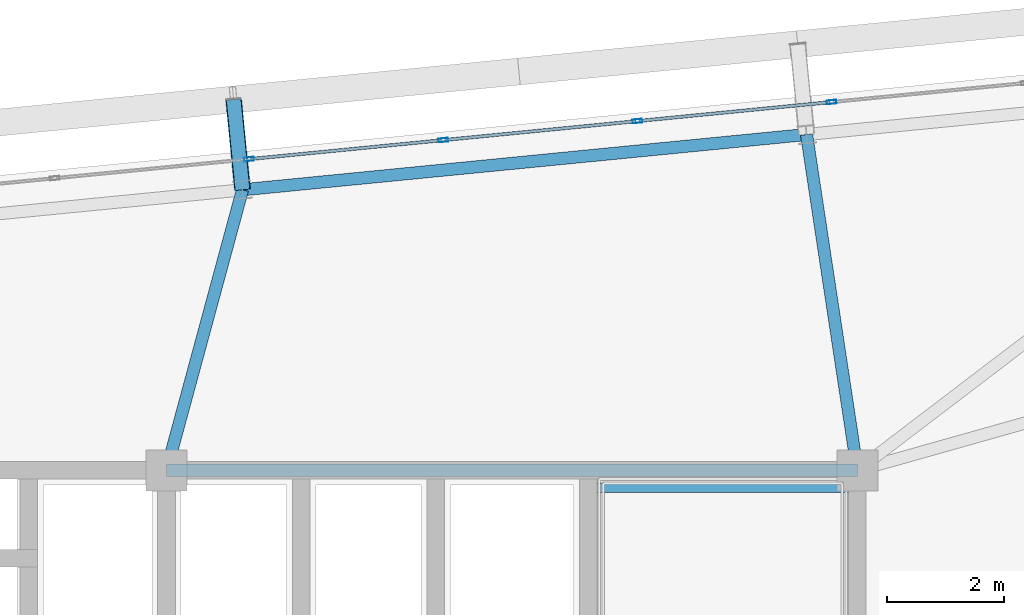
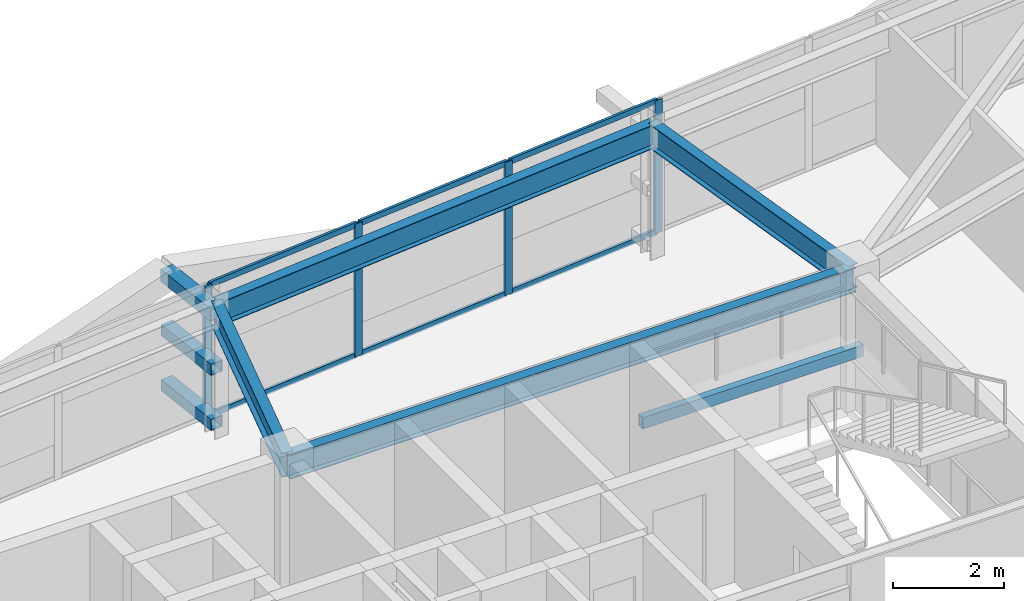
# One storey, part 31 of 54: 13 members, 5 beams, 1 element without a shape of its own.
"""IFC4 building model written with IfcOpenShell, lengths in metres."""

from ifc_helpers import new_model, si_unit, direction, frame, origin, origin_2d, place, context, subcontext, project, spatial, hollow_rectangle, i_section, extrude, source, transform, mapped, material, layer, layer_set, material_profile, profile_set, type_object, element, aggregate, save


model = new_model("IFC4")

# Units and contexts
model_context = context("Model", 3, precision=1e-05, world=origin(), true_north=direction((0.0, 1.0)))
body_context = subcontext(model_context, "Body", "Model", "MODEL_VIEW")
ifc_project = project(units=[si_unit("LENGTHUNIT", "METRE"), si_unit("AREAUNIT", "SQUARE_METRE"), si_unit("VOLUMEUNIT", "CUBIC_METRE"), si_unit("PLANEANGLEUNIT", "RADIAN"), si_unit("MASSUNIT", "GRAM", prefix="KILO")], contexts=[model_context])

# Site, building, storey
site_placement = place(None, origin())
site = spatial("IfcSite", under=ifc_project, at=site_placement, CompositionType="ELEMENT")
building_placement = place(site_placement, origin())
building = spatial("IfcBuilding", under=site, at=building_placement, Name="Taldren Reach Tower", CompositionType="ELEMENT")
storey_placement = place(building_placement, frame((0.0, 0.0, 99.75)))
storey = spatial("IfcBuildingStorey", under=building, at=storey_placement, Name="L30", CompositionType="ELEMENT", Elevation=99.75)

# Beam
ifc_material_1 = material(Name="Steel Gr 350 (350PLUS)", Category="steel")
ifc_material_profile_1 = material_profile(ifc_material_1, i_section(OverallWidth=0.208984375, OverallDepth=0.532958984375, WebThickness=0.01025390625, FlangeThickness=0.015625, at=origin_2d()), Name="530UB92.4")
ifc_profile_set_1 = profile_set([ifc_material_profile_1], Name="Steel Gr 350 (350PLUS)")
beam_type_1 = type_object("IfcBeamType", Name="BM-UB530A", PredefinedType="BEAM", material=ifc_profile_set_1)
shared_shape_1 = source(origin(), body_context, "Body", "SweptSolid", [
    extrude(i_section(OverallWidth=0.208984375, OverallDepth=0.532958984375, WebThickness=0.01025390625, FlangeThickness=0.015625, at=origin_2d()), origin(), (0.0, 0.0, 1.0), 11.800048828125),
])
beam_1_placement = place(storey_placement, frame((39.199951171875, 32.0, 2.66357421875), z_axis=(1.0, 0.0, 0.0), x_axis=(0.0, 1.0, 0.0)))
element("IfcBeam", 1, at=beam_1_placement, inside=storey, type_object=beam_type_1, Name="Core-spine girder L30-SP06", PredefinedType="BEAM", context=body_context, shape_type="MappedRepresentation", body=[
    mapped(shared_shape_1, transform((0.0, 0.0, 0.0), scale=1.0)),
])

# Members
ifc_material_2 = material(Name="Steel Gr 450 (C450L0)", Category="steel")
ifc_material_profile_2 = material_profile(ifc_material_2, hollow_rectangle(XDim=0.27490234375, YDim=0.27490234375, WallThickness=0.00927734375, at=origin_2d()), Name="275x275x9.3SHS")
ifc_profile_set_2 = profile_set([ifc_material_profile_2], Name="Steel Gr 450 (C450L0)")
member_type_1 = type_object("IfcMemberType", Name="MB-TIE273", PredefinedType="STRUT", material=ifc_profile_set_2)
shared_shape_2 = source(origin(), body_context, "Body", "SweptSolid", [
    extrude(hollow_rectangle(XDim=0.27490234375, YDim=0.27490234375, WallThickness=0.00927734375, at=origin_2d()), origin(), (0.0, 0.0, 1.0), 1.5498046875),
])
member_1_placement = place(storey_placement, frame((40.498291015625, 36.790771484375, 2.64990234375), z_axis=(-0.097663201064, 0.995219523099, 0.0), x_axis=(-0.995219523099, -0.097663201064, 0.0)))
element("IfcMember", 2, at=member_1_placement, inside=storey, type_object=member_type_1, Name="Exoskeleton diaphragm tie strut B2-N4 L30", PredefinedType="STRUT", context=body_context, shape_type="MappedRepresentation", body=[
    mapped(shared_shape_2, transform((0.0, 0.0, 0.0), scale=1.0)),
])
ifc_material_3 = material(Name="Steel Gr 350 (C350L0)", Category="steel")
ifc_material_profile_3 = material_profile(ifc_material_3, hollow_rectangle(XDim=0.25, YDim=0.25, WallThickness=0.010009765625, at=origin_2d()), Name="250x250x10.0SHS")
ifc_profile_set_3 = profile_set([ifc_material_profile_3], Name="Steel Gr 350 (C350L0)")
member_type_2 = type_object("IfcMemberType", Name="MB-POST250", PredefinedType="POST", material=ifc_profile_set_3)
shared_shape_3 = source(origin(), body_context, "Body", "SweptSolid", [
    extrude(hollow_rectangle(XDim=0.25, YDim=0.25, WallThickness=0.010009765625, at=origin_2d()), origin(), (0.0, 0.0, 1.0), 1.5498046875),
])
for number, where, z_axis, x_axis, name in (
    (3, (40.498291015625, 36.790771484375, 0.219970703125), (-0.097663201064, 0.995219523099, 0.0), (-0.995219523099, -0.097663201064, 0.0), "Exoskeleton base diaphragm tie strut B2-N4 L30"),
    (4, (40.498291015625, 36.790771484375, 1.43505859375), (-0.097663201064, 0.995219523099, 0.0), (-0.995219523099, -0.097663201064, 0.0), "Exoskeleton mid-tier diaphragm tie B2-N4 L30"),
):
    element("IfcMember", number, at=place(storey_placement, frame(where, z_axis=z_axis, x_axis=x_axis)), inside=storey, type_object=member_type_2, Name=name, PredefinedType="POST", context=body_context, shape_type="MappedRepresentation", body=[
        mapped(shared_shape_3, transform((0.0, 0.0, 0.0), scale=1.0)),
    ])

# Beams
ifc_material_profile_4 = material_profile(ifc_material_1, i_section(OverallWidth=0.208984375, OverallDepth=0.528076171875, WebThickness=0.009521484375, FlangeThickness=0.01318359375, at=origin_2d()), Name="530UB82.0")
ifc_profile_set_4 = profile_set([ifc_material_profile_4], Name="Steel Gr 350 (350PLUS)")
beam_type_2 = type_object("IfcBeamType", Name="SP-UB530B", PredefinedType="SPANDREL", material=ifc_profile_set_4)
shared_shape_4 = source(origin(), body_context, "Body", "SweptSolid", [
    extrude(i_section(OverallWidth=0.208984375, OverallDepth=0.528076171875, WebThickness=0.009521484375, FlangeThickness=0.01318359375, at=origin_2d()), origin(), (0.0, 0.0, 1.0), 9.679931640625),
])
beam_2_placement = place(storey_placement, frame((50.132080078125, 37.7353515625, 2.666015625), z_axis=(-0.995227612658, -0.097580730699, 0.0), x_axis=(0.097580730699, -0.995227612658, 0.0)))
element("IfcBeam", 5, at=beam_2_placement, inside=storey, type_object=beam_type_2, Name="Perimeter spandrel B2 N5-N4 L30", PredefinedType="SPANDREL", context=body_context, shape_type="MappedRepresentation", body=[
    mapped(shared_shape_4, transform((0.0, 0.0, 0.0), scale=1.0)),
])
shared_shape_5 = source(origin(), body_context, "Body", "SweptSolid", [
    extrude(i_section(OverallWidth=0.208984375, OverallDepth=0.532958984375, WebThickness=0.01025390625, FlangeThickness=0.015625, at=origin_2d()), origin(), (0.0, 0.0, 1.0), 5.800537109375),
])
beam_3_placement = place(storey_placement, frame((51.0, 32.0, 2.66357421875), z_axis=(-0.149624592867, 0.988742879221, 0.0), x_axis=(-0.988742879221, -0.149624592867, 0.0)))
element("IfcBeam", 6, at=beam_3_placement, inside=storey, type_object=beam_type_1, Name="Primary floor girder B2-N5 L30", PredefinedType="BEAM", context=body_context, shape_type="MappedRepresentation", body=[
    mapped(shared_shape_5, transform((0.0, 0.0, 0.0), scale=1.0)),
])
shared_shape_6 = source(origin(), body_context, "Body", "SweptSolid", [
    extrude(i_section(OverallWidth=0.208984375, OverallDepth=0.532958984375, WebThickness=0.01025390625, FlangeThickness=0.015625, at=origin_2d()), origin(), (0.0, 0.0, 1.0), 4.963623046875),
])
beam_4_placement = place(storey_placement, frame((39.199951171875, 32.0, 2.66357421875), z_axis=(0.261572995851, 0.965183696423, 0.0), x_axis=(-0.965183696423, 0.261572995851, 0.0)))
element("IfcBeam", 7, at=beam_4_placement, inside=storey, type_object=beam_type_1, Name="Primary floor girder B2-N4 L30", PredefinedType="BEAM", context=body_context, shape_type="MappedRepresentation", body=[
    mapped(shared_shape_6, transform((0.0, 0.0, 0.0), scale=1.0)),
])

# Curtain wall, members
ifc_material_4 = material(Name="Aluminium and Low-E Glass Unitised System", Category="aluminium")
ifc_layer = layer(ifc_material_4, 0.159912109375)
ifc_layer_set = layer_set([ifc_layer], Name="Aluminium and Low-E Glass Unitised System")
curtain_wall_type = type_object("IfcCurtainWallType", Name="CW-SYS-3", PredefinedType="NOTDEFINED", material=ifc_layer_set)
curtain_wall_placement = place(storey_placement, origin())
curtain_wall = element("IfcCurtainWall", 8, at=curtain_wall_placement, inside=storey, type_object=curtain_wall_type, Name="Unitised curtain wall CW-L30-N", PredefinedType="NOTDEFINED")
ifc_material_5 = material(Name="Anodised Aluminium 6063-T6", Category="aluminium")
ifc_material_profile_5 = material_profile(ifc_material_5, hollow_rectangle(XDim=0.06494140625, YDim=0.1650390625, WallThickness=0.00390625, at=origin_2d()), Name="ALU-165x65x4RHS")
ifc_profile_set_5 = profile_set([ifc_material_profile_5], Name="Anodised Aluminium 6063-T6")
member_type_3 = type_object("IfcMemberType", Name="CW-MUL-165", PredefinedType="MULLION", material=ifc_profile_set_5)
shared_shape_7 = source(origin(), body_context, "Body", "SweptSolid", [
    extrude(hollow_rectangle(XDim=0.06494140625, YDim=0.1650390625, WallThickness=0.00390625, at=origin_2d()), origin(), (0.0, 0.0, 1.0), 2.929931640625),
])
member_2_placement = place(storey_placement, frame((50.56005859375, 38.289794921875, 0.0), z_axis=(0.0, 0.0, 1.0), x_axis=(0.097582999046, -0.995227390247, 0.0)))
member_2 = element("IfcMember", 9, at=member_2_placement, type_object=member_type_3, Name="CW-3 mullion 4", PredefinedType="MULLION", context=body_context, shape_type="MappedRepresentation", body=[
    mapped(shared_shape_7, transform((0.0, 0.0, 0.0), scale=1.0)),
])
member_3_placement = place(storey_placement, frame((47.242431640625, 37.96435546875, 0.0), z_axis=(0.0, 0.0, 1.0), x_axis=(0.097582999046, -0.995227390247, 0.0)))
member_3 = element("IfcMember", 10, at=member_3_placement, type_object=member_type_3, Name="CW-3 mullion 5", PredefinedType="MULLION", context=body_context, shape_type="MappedRepresentation", body=[
    mapped(shared_shape_7, transform((0.0, 0.0, 0.0), scale=1.0)),
])
member_4_placement = place(storey_placement, frame((43.925048828125, 37.63916015625, 0.0), z_axis=(0.0, 0.0, 1.0), x_axis=(0.097582999046, -0.995227390247, 0.0)))
member_4 = element("IfcMember", 11, at=member_4_placement, type_object=member_type_3, Name="CW-3 mullion 6", PredefinedType="MULLION", context=body_context, shape_type="MappedRepresentation", body=[
    mapped(shared_shape_7, transform((0.0, 0.0, 0.0), scale=1.0)),
])
member_5_placement = place(storey_placement, frame((40.607666015625, 37.31396484375, 0.0), z_axis=(0.0, 0.0, 1.0), x_axis=(0.097582999046, -0.995227390247, 0.0)))
member_5 = element("IfcMember", 12, at=member_5_placement, type_object=member_type_3, Name="CW-3 mullion 7", PredefinedType="MULLION", context=body_context, shape_type="MappedRepresentation", body=[
    mapped(shared_shape_7, transform((0.0, 0.0, 0.0), scale=1.0)),
])
ifc_material_profile_6 = material_profile(ifc_material_5, hollow_rectangle(XDim=0.054931640625, YDim=0.1201171875, WallThickness=0.0029296875, at=origin_2d()), Name="ALU-120x55x3RHS")
ifc_profile_set_6 = profile_set([ifc_material_profile_6], Name="Anodised Aluminium 6063-T6")
member_type_4 = type_object("IfcMemberType", Name="CW-TRN-135", PredefinedType="USERDEFINED", material=ifc_profile_set_6)
shared_shape_8 = source(origin(), body_context, "Body", "SweptSolid", [
    extrude(hollow_rectangle(XDim=0.054931640625, YDim=0.1201171875, WallThickness=0.0029296875, at=origin_2d()), origin(), (0.0, 0.0, 1.0), 3.268310546875),
])
member_6_placement = place(storey_placement, frame((50.527587890625, 38.28662109375, 0.027587890625), z_axis=(-0.995222549564, -0.097632355496, 0.0), x_axis=(0.097632355496, -0.995222549564, 0.0)))
member_6 = element("IfcMember", 13, at=member_6_placement, type_object=member_type_4, Name="CW-3 transom 4.1", ObjectType="TRANSOM", PredefinedType="USERDEFINED", context=body_context, shape_type="MappedRepresentation", body=[
    mapped(shared_shape_8, transform((0.0, 0.0, 0.0), scale=1.0)),
])
member_7_placement = place(storey_placement, frame((50.527587890625, 38.28662109375, 2.902587890625), z_axis=(-0.995222549564, -0.097632355496, 0.0), x_axis=(0.097632355496, -0.995222549564, 0.0)))
member_7 = element("IfcMember", 14, at=member_7_placement, type_object=member_type_4, Name="CW-3 transom 4.2", ObjectType="TRANSOM", PredefinedType="USERDEFINED", context=body_context, shape_type="MappedRepresentation", body=[
    mapped(shared_shape_8, transform((0.0, 0.0, 0.0), scale=1.0)),
])
member_8_placement = place(storey_placement, frame((47.210205078125, 37.961181640625, 0.027587890625), z_axis=(-0.99522980512, -0.097558367146, 0.0), x_axis=(0.097558367146, -0.99522980512, 0.0)))
member_8 = element("IfcMember", 15, at=member_8_placement, type_object=member_type_4, Name="CW-3 transom 5.1", ObjectType="TRANSOM", PredefinedType="USERDEFINED", context=body_context, shape_type="MappedRepresentation", body=[
    mapped(shared_shape_8, transform((0.0, 0.0, 0.0), scale=1.0)),
])
member_9_placement = place(storey_placement, frame((47.210205078125, 37.961181640625, 2.902587890625), z_axis=(-0.99522980512, -0.097558367146, 0.0), x_axis=(0.097558367146, -0.99522980512, 0.0)))
member_9 = element("IfcMember", 16, at=member_9_placement, type_object=member_type_4, Name="CW-3 transom 5.2", ObjectType="TRANSOM", PredefinedType="USERDEFINED", context=body_context, shape_type="MappedRepresentation", body=[
    mapped(shared_shape_8, transform((0.0, 0.0, 0.0), scale=1.0)),
])
member_10_placement = place(storey_placement, frame((43.892822265625, 37.635986328125, 0.027587890625), z_axis=(-0.99522980512, -0.097558367146, 0.0), x_axis=(0.097558367146, -0.99522980512, 0.0)))
member_10 = element("IfcMember", 17, at=member_10_placement, type_object=member_type_4, Name="CW-3 transom 6.1", ObjectType="TRANSOM", PredefinedType="USERDEFINED", context=body_context, shape_type="MappedRepresentation", body=[
    mapped(shared_shape_8, transform((0.0, 0.0, 0.0), scale=1.0)),
])
member_11_placement = place(storey_placement, frame((43.892822265625, 37.635986328125, 2.902587890625), z_axis=(-0.99522980512, -0.097558367146, 0.0), x_axis=(0.097558367146, -0.99522980512, 0.0)))
member_11 = element("IfcMember", 18, at=member_11_placement, type_object=member_type_4, Name="CW-3 transom 6.2", ObjectType="TRANSOM", PredefinedType="USERDEFINED", context=body_context, shape_type="MappedRepresentation", body=[
    mapped(shared_shape_8, transform((0.0, 0.0, 0.0), scale=1.0)),
])
aggregate(curtain_wall, [member_2, member_3, member_4, member_5, member_6, member_7, member_8, member_9, member_10, member_11])

# Beam
ifc_material_profile_7 = material_profile(ifc_material_3, hollow_rectangle(XDim=0.14990234375, YDim=0.25, WallThickness=0.009033203125, at=origin_2d()), Name="250x150x9.0RHS")
ifc_profile_set_7 = profile_set([ifc_material_profile_7], Name="Steel Gr 350 (C350L0)")
beam_type_3 = type_object("IfcBeamType", Name="LN-RHS250", PredefinedType="LINTEL", material=ifc_profile_set_7)
shared_shape_9 = source(origin(), body_context, "Body", "SweptSolid", [
    extrude(hollow_rectangle(XDim=0.14990234375, YDim=0.25, WallThickness=0.009033203125, at=origin_2d()), origin(), (0.0, 0.0, 1.0), 4.60009765625),
])
beam_5_placement = place(storey_placement, frame((46.39990234375, 31.699951171875, 1.27001953125), z_axis=(1.0, 0.0, 0.0), x_axis=(0.0, 1.0, 0.0)))
element("IfcBeam", 19, at=beam_5_placement, inside=storey, type_object=beam_type_3, Name="Stair half-landing support beam ST2-L30-2", PredefinedType="LINTEL", context=body_context, shape_type="MappedRepresentation", body=[
    mapped(shared_shape_9, transform((0.0, 0.0, 0.0), scale=1.0)),
])

save(model, "model.ifc")
